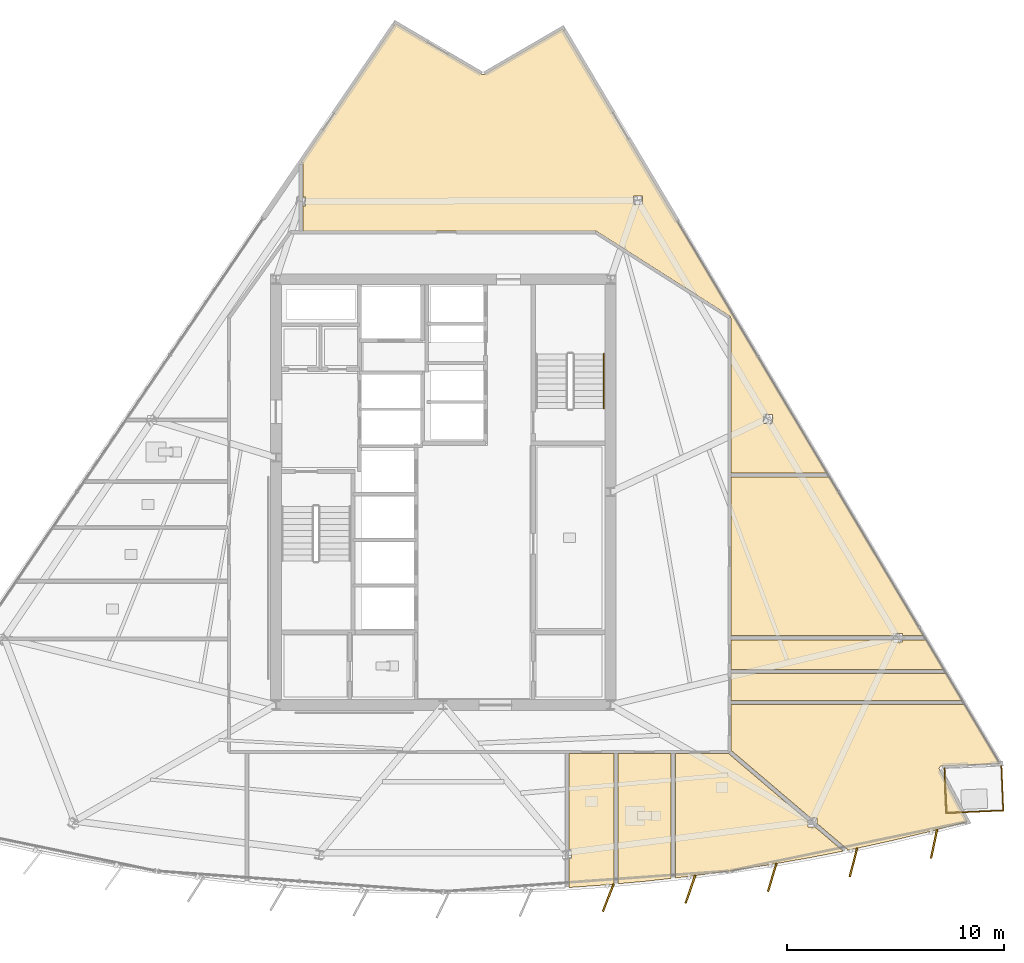
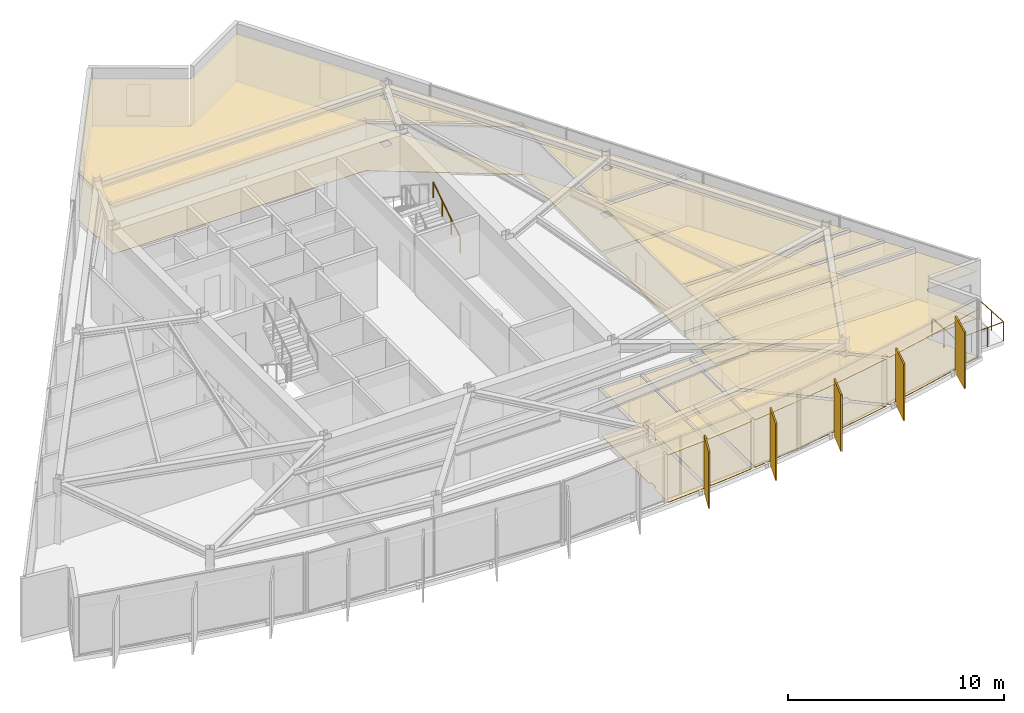
# One storey, part 14 of 15: 16 coverings, 5 shading devices, 4 railings.
"""IFC4 building model written with IfcOpenShell, lengths in metres."""

from ifc_helpers import new_model, si_unit, direction, frame, origin, origin_2d, place, context, subcontext, project, spatial, polyline, rectangle, circle, outline, extrude, material, layer, layer_set, type_object, element, save


model = new_model("IFC4")

# Units and contexts
model_context = context("Model", 3, precision=1e-05, world=origin(), true_north=direction((0.0, 1.0)))
body_context = subcontext(model_context, "Body", "Model", "MODEL_VIEW")
ifc_project = project(units=[si_unit("LENGTHUNIT", "METRE"), si_unit("AREAUNIT", "SQUARE_METRE"), si_unit("VOLUMEUNIT", "CUBIC_METRE"), si_unit("PLANEANGLEUNIT", "RADIAN"), si_unit("MASSUNIT", "GRAM", prefix="KILO")], contexts=[model_context])

# Site, building, storey
site_placement = place(None, origin())
site = spatial("IfcSite", under=ifc_project, at=site_placement, CompositionType="ELEMENT")
building_placement = place(site_placement, origin())
building = spatial("IfcBuilding", under=site, at=building_placement, Name="Savorim Split Tower", CompositionType="ELEMENT")
storey_placement = place(building_placement, frame((0.0, 0.0, 194.699951171875)))
storey = spatial("IfcBuildingStorey", under=building, at=storey_placement, Name="L51", CompositionType="ELEMENT", Elevation=194.699951171875)

# Coverings
ifc_material_1 = material(Name="Mineral Fibre Acoustic Ceiling")
ifc_layer_1 = layer(ifc_material_1, 0.02490234375)
ifc_layer_set_1 = layer_set([ifc_layer_1], Name="COV-CEIL-25")
covering_type_1 = type_object("IfcCoveringType", Name="COV-CEIL-25", PredefinedType="CEILING", material=ifc_layer_set_1)
covering_1_placement = place(storey_placement, frame((0.0, 0.0, 2.670166015625)))
element("IfcCovering", 1, at=covering_1_placement, inside=storey, type_object=covering_type_1, Name="L51 Shared Kitchen Acoustic Ceiling", PredefinedType="CEILING", context=body_context, shape_type="SweptSolid", body=[
    extrude(outline(polyline([(5.794189453125, -17.755859375), (5.794189453125, -17.79931640625), (7.55078125, -17.673095703125), (7.85595703125, -17.64501953125), (7.85595703125, -11.6201171875), (5.794189453125, -11.6201171875), (5.794189453125, -16.04833984375), (5.908203125, -16.04833984375), (5.908203125, -16.455322265625), (5.794189453125, -16.455322265625), (5.794189453125, -17.755859375)])), origin(), (0.0, 0.0, 1.0), 0.02490234375),
])
covering_2_placement = place(storey_placement, frame((0.0, 0.0, 2.670166015625)))
element("IfcCovering", 2, at=covering_2_placement, inside=storey, type_object=covering_type_1, Name="L51 Shared Bathroom Acoustic Ceiling", PredefinedType="CEILING", context=body_context, shape_type="SweptSolid", body=[
    extrude(outline(polyline([(8.0458984375, -11.6201171875), (8.0458984375, -17.62744140625), (9.4326171875, -17.49951171875), (10.49755859375, -17.379150390625), (10.49755859375, -11.6201171875), (8.0458984375, -11.6201171875)])), origin(), (0.0, 0.0, 1.0), 0.02490234375),
])
covering_3_placement = place(storey_placement, frame((0.0, 0.0, 2.670166015625)))
element("IfcCovering", 3, at=covering_3_placement, inside=storey, type_object=covering_type_1, Name="L51 Shared Kitchen Acoustic Ceiling", PredefinedType="CEILING", context=body_context, shape_type="SweptSolid", body=[
    extrude(outline(polyline([(11.310302734375, -17.287109375), (13.18359375, -17.03662109375), (15.051025390625, -16.74755859375), (16.912353515625, -16.420654296875), (18.4150390625, -16.124755859375), (17.097900390625, -15.003662109375), (16.79638671875, -15.003662109375), (16.79638671875, -14.7470703125), (13.146484375, -11.64111328125), (13.119873046875, -11.618408203125), (13.11376953125, -11.619384765625), (13.10009765625, -11.6201171875), (10.6875, -11.6201171875), (10.6875, -17.357666015625), (11.310302734375, -17.287109375)])), origin(), (0.0, 0.0, 1.0), 0.02490234375),
])
covering_4_placement = place(storey_placement, frame((0.0, 0.0, 2.670166015625)))
element("IfcCovering", 4, at=covering_4_placement, inside=storey, type_object=covering_type_1, Name="L51 Co-Working Commons Acoustic Ceiling", PredefinedType="CEILING", context=body_context, shape_type="SweptSolid", body=[
    extrude(outline(polyline([(22.926513671875, -12.2060546875), (22.93798828125, -12.203857421875), (22.949462890625, -12.202880859375), (25.611083984375, -12.089599609375), (24.001708984375, -9.3828125), (13.239990234375, -9.3828125), (13.239990234375, -11.47119140625), (16.91259765625, -14.5966796875), (17.21435546875, -14.5966796875), (17.21435546875, -14.853271484375), (18.547119140625, -15.987548828125), (18.619384765625, -16.049072265625), (18.583251953125, -16.091552734375), (18.7666015625, -16.055419921875), (20.61279296875, -15.652587890625), (22.450439453125, -15.2119140625), (24.132568359375, -14.772216796875), (22.848876953125, -12.37939453125), (22.84375, -12.368896484375), (22.83984375, -12.358154296875), (22.8369140625, -12.346923828125), (22.835205078125, -12.335693359375), (22.83447265625, -12.32421875), (22.8349609375, -12.3125), (22.83642578125, -12.301025390625), (22.839111328125, -12.289794921875), (22.8427734375, -12.27880859375), (22.847412109375, -12.268310546875), (22.853271484375, -12.25830078125), (22.85986328125, -12.248779296875), (22.867431640625, -12.240234375), (22.875732421875, -12.232177734375), (22.884765625, -12.22509765625), (22.89453125, -12.21875), (22.90478515625, -12.21337890625), (22.91552734375, -12.209228515625), (22.926513671875, -12.2060546875)])), origin(), (0.0, 0.0, 1.0), 0.02490234375),
])
covering_5_placement = place(storey_placement, frame((0.0, 0.0, 2.670166015625)))
element("IfcCovering", 5, at=covering_5_placement, inside=storey, type_object=covering_type_1, Name="L51 Co-Living Bedroom Acoustic Ceiling", PredefinedType="CEILING", context=body_context, shape_type="SweptSolid", body=[
    extrude(outline(polyline([(23.888916015625, -9.19287109375), (23.150390625, -7.951416015625), (13.239990234375, -7.951416015625), (13.239990234375, -9.19287109375), (23.888916015625, -9.19287109375)])), origin(), (0.0, 0.0, 1.0), 0.02490234375),
])
covering_6_placement = place(storey_placement, frame((0.0, 0.0, 2.670166015625)))
element("IfcCovering", 6, at=covering_6_placement, inside=storey, type_object=covering_type_1, Name="L51 Quiet Study Room Acoustic Ceiling", PredefinedType="CEILING", context=body_context, shape_type="SweptSolid", body=[
    extrude(outline(polyline([(20.727783203125, -6.506591796875), (20.727783203125, -6.398193359375), (13.239990234375, -6.398193359375), (13.239990234375, -7.76123046875), (23.03759765625, -7.76123046875), (22.207275390625, -6.364990234375), (22.207275390625, -6.398193359375), (21.145751953125, -6.398193359375), (21.145751953125, -6.506591796875), (20.727783203125, -6.506591796875)])), origin(), (0.0, 0.0, 1.0), 0.02490234375),
])
covering_7_placement = place(storey_placement, frame((0.0, 0.0, 2.670166015625)))
element("IfcCovering", 7, at=covering_7_placement, inside=storey, type_object=covering_type_1, Name="L51 Maker Workshop Acoustic Ceiling", PredefinedType="CEILING", context=body_context, shape_type="SweptSolid", body=[
    extrude(outline(polyline([(21.145751953125, -6.208251953125), (22.1123046875, -6.208251953125), (22.114013671875, -6.208251953125), (17.775146484375, 1.088623046875), (13.239990234375, 1.088623046875), (13.239990234375, -6.208251953125), (20.727783203125, -6.208251953125), (20.727783203125, -6.099609375), (21.145751953125, -6.099609375), (21.145751953125, -6.208251953125)])), origin(), (0.0, 0.0, 1.0), 0.02490234375),
])
covering_8_placement = place(storey_placement, frame((0.0, 0.0, 2.670166015625)))
element("IfcCovering", 8, at=covering_8_placement, inside=storey, type_object=covering_type_1, Name="L51 Co-Working Commons Acoustic Ceiling", PredefinedType="CEILING", context=body_context, shape_type="SweptSolid", body=[
    extrude(outline(polyline([(1.800537109375, 19.626708984375), (1.789794921875, 19.631103515625), (1.779541015625, 19.636474609375), (-2.197021484375, 21.9736328125), (-6.546142578125, 15.580078125), (-6.455322265625, 15.580078125), (-6.455322265625, 13.988525390625), (-6.34130859375, 13.988525390625), (-6.34130859375, 13.58154296875), (-6.455322265625, 13.58154296875), (-6.455322265625, 12.419921875), (7.0, 12.419921875), (7.01318359375, 12.41943359375), (7.0263671875, 12.41748046875), (7.0390625, 12.414306640625), (7.051513671875, 12.41015625), (7.063720703125, 12.40478515625), (7.0751953125, 12.398193359375), (13.175048828125, 8.51806640625), (13.1865234375, 8.510009765625), (13.197265625, 8.500732421875), (13.206787109375, 8.490478515625), (13.21533203125, 8.479248046875), (13.22265625, 8.46728515625), (13.22900390625, 8.45458984375), (13.233642578125, 8.44140625), (13.2373046875, 8.427978515625), (13.2392578125, 8.4140625), (13.239990234375, 8.39990234375), (13.239990234375, 1.27880859375), (17.662109375, 1.278564453125), (5.499267578125, 21.7333984375), (1.90087890625, 19.63623046875), (1.890625, 19.631103515625), (1.8798828125, 19.626708984375), (1.868896484375, 19.623291015625), (1.857421875, 19.62109375), (1.845947265625, 19.6201171875), (1.83447265625, 19.6201171875), (1.822998046875, 19.621337890625), (1.8115234375, 19.62353515625), (1.800537109375, 19.626708984375)]), holes=[polyline([(15.15869140625, 3.561767578125), (15.15869140625, 3.96875), (14.74072265625, 3.96875), (14.74072265625, 3.561767578125), (15.15869140625, 3.561767578125)]), polyline([(9.171875, 14.037353515625), (8.75390625, 14.037353515625), (8.75390625, 13.63037109375), (9.171875, 13.63037109375), (9.171875, 14.037353515625)])]), origin(), (0.0, 0.0, 1.0), 0.02490234375),
])
ifc_material_2 = material(Name="Porcelain Stoneware Flooring", Category="masonry")
ifc_layer_2 = layer(ifc_material_2, 0.02001953125)
ifc_layer_set_2 = layer_set([ifc_layer_2], Name="COV-FLOR-20")
covering_type_2 = type_object("IfcCoveringType", Name="COV-FLOR-20", PredefinedType="FLOORING", material=ifc_layer_set_2)
covering_9_placement = place(storey_placement, origin())
element("IfcCovering", 9, at=covering_9_placement, inside=storey, type_object=covering_type_2, Name="L51 Shared Kitchen Porcelain Flooring", PredefinedType="FLOORING", context=body_context, shape_type="SweptSolid", body=[
    extrude(outline(polyline([(5.794189453125, -17.755859375), (5.794189453125, -17.79931640625), (7.55078125, -17.673095703125), (7.85595703125, -17.64501953125), (7.85595703125, -11.6201171875), (5.794189453125, -11.6201171875), (5.794189453125, -16.04833984375), (5.908203125, -16.04833984375), (5.908203125, -16.455322265625), (5.794189453125, -16.455322265625), (5.794189453125, -17.755859375)])), origin(), (0.0, 0.0, 1.0), 0.02001953125),
])
covering_10_placement = place(storey_placement, origin())
element("IfcCovering", 10, at=covering_10_placement, inside=storey, type_object=covering_type_2, Name="L51 Shared Bathroom Porcelain Flooring", PredefinedType="FLOORING", context=body_context, shape_type="SweptSolid", body=[
    extrude(outline(polyline([(8.0458984375, -11.6201171875), (8.0458984375, -17.62744140625), (9.4326171875, -17.49951171875), (10.49755859375, -17.379150390625), (10.49755859375, -11.6201171875), (8.0458984375, -11.6201171875)])), origin(), (0.0, 0.0, 1.0), 0.02001953125),
])
covering_11_placement = place(storey_placement, origin())
element("IfcCovering", 11, at=covering_11_placement, inside=storey, type_object=covering_type_2, Name="L51 Shared Kitchen Porcelain Flooring", PredefinedType="FLOORING", context=body_context, shape_type="SweptSolid", body=[
    extrude(outline(polyline([(11.310302734375, -17.287109375), (13.18359375, -17.03662109375), (15.051025390625, -16.74755859375), (16.912353515625, -16.420654296875), (18.4150390625, -16.124755859375), (17.097900390625, -15.003662109375), (16.79638671875, -15.003662109375), (16.79638671875, -14.7470703125), (13.146484375, -11.64111328125), (13.119873046875, -11.618408203125), (13.11376953125, -11.619384765625), (13.10009765625, -11.6201171875), (10.6875, -11.6201171875), (10.6875, -17.357666015625), (11.310302734375, -17.287109375)])), origin(), (0.0, 0.0, 1.0), 0.02001953125),
])
covering_12_placement = place(storey_placement, origin())
element("IfcCovering", 12, at=covering_12_placement, inside=storey, type_object=covering_type_2, Name="L51 Co-Working Commons Porcelain Flooring", PredefinedType="FLOORING", context=body_context, shape_type="SweptSolid", body=[
    extrude(outline(polyline([(22.926513671875, -12.2060546875), (22.93798828125, -12.203857421875), (22.949462890625, -12.202880859375), (25.611083984375, -12.089599609375), (24.001708984375, -9.3828125), (13.239990234375, -9.3828125), (13.239990234375, -11.47119140625), (16.91259765625, -14.5966796875), (17.21435546875, -14.5966796875), (17.21435546875, -14.853271484375), (18.547119140625, -15.987548828125), (18.619384765625, -16.049072265625), (18.583251953125, -16.091552734375), (18.7666015625, -16.055419921875), (20.61279296875, -15.652587890625), (22.450439453125, -15.2119140625), (24.132568359375, -14.772216796875), (22.848876953125, -12.37939453125), (22.84375, -12.368896484375), (22.83984375, -12.358154296875), (22.8369140625, -12.346923828125), (22.835205078125, -12.335693359375), (22.83447265625, -12.32421875), (22.8349609375, -12.3125), (22.83642578125, -12.301025390625), (22.839111328125, -12.289794921875), (22.8427734375, -12.27880859375), (22.847412109375, -12.268310546875), (22.853271484375, -12.25830078125), (22.85986328125, -12.248779296875), (22.867431640625, -12.240234375), (22.875732421875, -12.232177734375), (22.884765625, -12.22509765625), (22.89453125, -12.21875), (22.90478515625, -12.21337890625), (22.91552734375, -12.209228515625), (22.926513671875, -12.2060546875)])), origin(), (0.0, 0.0, 1.0), 0.02001953125),
])
covering_13_placement = place(storey_placement, origin())
element("IfcCovering", 13, at=covering_13_placement, inside=storey, type_object=covering_type_2, Name="L51 Co-Living Bedroom Porcelain Flooring", PredefinedType="FLOORING", context=body_context, shape_type="SweptSolid", body=[
    extrude(outline(polyline([(23.888916015625, -9.19287109375), (23.150390625, -7.951416015625), (13.239990234375, -7.951416015625), (13.239990234375, -9.19287109375), (23.888916015625, -9.19287109375)])), origin(), (0.0, 0.0, 1.0), 0.02001953125),
])
covering_14_placement = place(storey_placement, origin())
element("IfcCovering", 14, at=covering_14_placement, inside=storey, type_object=covering_type_2, Name="L51 Quiet Study Room Porcelain Flooring", PredefinedType="FLOORING", context=body_context, shape_type="SweptSolid", body=[
    extrude(outline(polyline([(20.727783203125, -6.506591796875), (20.727783203125, -6.398193359375), (13.239990234375, -6.398193359375), (13.239990234375, -7.76123046875), (23.03759765625, -7.76123046875), (22.207275390625, -6.364990234375), (22.207275390625, -6.398193359375), (21.145751953125, -6.398193359375), (21.145751953125, -6.506591796875), (20.727783203125, -6.506591796875)])), origin(), (0.0, 0.0, 1.0), 0.02001953125),
])
covering_15_placement = place(storey_placement, origin())
element("IfcCovering", 15, at=covering_15_placement, inside=storey, type_object=covering_type_2, Name="L51 Maker Workshop Porcelain Flooring", PredefinedType="FLOORING", context=body_context, shape_type="SweptSolid", body=[
    extrude(outline(polyline([(21.145751953125, -6.208251953125), (22.1123046875, -6.208251953125), (22.114013671875, -6.208251953125), (17.775146484375, 1.088623046875), (13.239990234375, 1.088623046875), (13.239990234375, -6.208251953125), (20.727783203125, -6.208251953125), (20.727783203125, -6.099609375), (21.145751953125, -6.099609375), (21.145751953125, -6.208251953125)])), origin(), (0.0, 0.0, 1.0), 0.02001953125),
])
covering_16_placement = place(storey_placement, origin())
element("IfcCovering", 16, at=covering_16_placement, inside=storey, type_object=covering_type_2, Name="L51 Co-Working Commons Porcelain Flooring", PredefinedType="FLOORING", context=body_context, shape_type="SweptSolid", body=[
    extrude(outline(polyline([(1.800537109375, 19.626708984375), (1.789794921875, 19.631103515625), (1.779541015625, 19.636474609375), (-2.197021484375, 21.9736328125), (-6.546142578125, 15.580078125), (-6.455322265625, 15.580078125), (-6.455322265625, 13.988525390625), (-6.34130859375, 13.988525390625), (-6.34130859375, 13.58154296875), (-6.455322265625, 13.58154296875), (-6.455322265625, 12.419921875), (7.0, 12.419921875), (7.01318359375, 12.41943359375), (7.0263671875, 12.41748046875), (7.0390625, 12.414306640625), (7.051513671875, 12.41015625), (7.063720703125, 12.40478515625), (7.0751953125, 12.398193359375), (13.175048828125, 8.51806640625), (13.1865234375, 8.510009765625), (13.197265625, 8.500732421875), (13.206787109375, 8.490478515625), (13.21533203125, 8.479248046875), (13.22265625, 8.46728515625), (13.22900390625, 8.45458984375), (13.233642578125, 8.44140625), (13.2373046875, 8.427978515625), (13.2392578125, 8.4140625), (13.239990234375, 8.39990234375), (13.239990234375, 1.27880859375), (17.662109375, 1.278564453125), (5.499267578125, 21.7333984375), (1.90087890625, 19.63623046875), (1.890625, 19.631103515625), (1.8798828125, 19.626708984375), (1.868896484375, 19.623291015625), (1.857421875, 19.62109375), (1.845947265625, 19.6201171875), (1.83447265625, 19.6201171875), (1.822998046875, 19.621337890625), (1.8115234375, 19.62353515625), (1.800537109375, 19.626708984375)]), holes=[polyline([(15.15869140625, 3.561767578125), (15.15869140625, 3.96875), (14.74072265625, 3.96875), (14.74072265625, 3.561767578125), (15.15869140625, 3.561767578125)]), polyline([(9.171875, 14.037353515625), (8.75390625, 14.037353515625), (8.75390625, 13.63037109375), (9.171875, 13.63037109375), (9.171875, 14.037353515625)])]), origin(), (0.0, 0.0, 1.0), 0.02001953125),
])

# Railings
ifc_material_3 = material(Name="Galvanised Painted Steel Balustrade", Category="steel")
railing_type_1 = type_object("IfcRailingType", Name="RLG-BAL-1100", PredefinedType="BALUSTRADE", material=ifc_material_3)
railing_1_placement = place(storey_placement, frame((25.697021484375, -12.2060546875, 0.0)))
element("IfcRailing", 17, at=railing_1_placement, inside=storey, type_object=railing_type_1, Name="L51 Tree Balcony Guardrail SE-1", PredefinedType="BALUSTRADE", context=body_context, shape_type="SweptSolid", body=[
    extrude(circle(Radius=0.02392578125, at=origin_2d()), frame((0.0, 0.0, 1.076171875), z_axis=(0.042517246, -0.999095733047, 0.0), x_axis=(0.999095733047, 0.042517246, 0.0)), (0.0, 0.0, 1.0), 2.050048828125),
    extrude(circle(Radius=0.02099609375, at=origin_2d()), origin(), (0.0, 0.0, 1.0), 1.052001953125),
    extrude(circle(Radius=0.02099609375, at=origin_2d()), frame((0.04345703125, -1.02392578125, 0.0)), (0.0, 0.0, 1.0), 1.052001953125),
    extrude(circle(Radius=0.02099609375, at=origin_2d()), frame((0.087158203125, -2.048095703125, 0.0)), (0.0, 0.0, 1.0), 1.052001953125),
])
railing_2_placement = place(storey_placement, frame((25.7841796875, -14.254150390625, 0.0)))
element("IfcRailing", 18, at=railing_2_placement, inside=storey, type_object=railing_type_1, Name="L51 Tree Balcony Guardrail SE-2", PredefinedType="BALUSTRADE", context=body_context, shape_type="SweptSolid", body=[
    extrude(circle(Radius=0.02392578125, at=origin_2d()), frame((0.0, 0.0, 1.076171875), z_axis=(-0.999096260916, -0.042504839996, 0.0), x_axis=(0.042504839996, -0.999096260916, 0.0)), (0.0, 0.0, 1.0), 2.625),
    extrude(circle(Radius=0.02099609375, at=origin_2d()), origin(), (0.0, 0.0, 1.0), 1.052001953125),
    extrude(circle(Radius=0.02099609375, at=origin_2d()), frame((-0.874267578125, -0.037109375, 0.0)), (0.0, 0.0, 1.0), 1.052001953125),
    extrude(circle(Radius=0.02099609375, at=origin_2d()), frame((-1.748291015625, -0.074462890625, 0.0)), (0.0, 0.0, 1.0), 1.052001953125),
    extrude(circle(Radius=0.02099609375, at=origin_2d()), frame((-2.62255859375, -0.111572265625, 0.0)), (0.0, 0.0, 1.0), 1.052001953125),
])
railing_3_placement = place(storey_placement, frame((23.16162109375, -14.36572265625, 0.0)))
element("IfcRailing", 19, at=railing_3_placement, inside=storey, type_object=railing_type_1, Name="L51 Tree Balcony Guardrail SE-3", PredefinedType="BALUSTRADE", context=body_context, shape_type="SweptSolid", body=[
    extrude(circle(Radius=0.02392578125, at=origin_2d()), frame((0.0, 0.0, 1.076171875), z_axis=(-0.042517246, 0.999095733047, 0.0), x_axis=(-0.999095733047, -0.042517246, 0.0)), (0.0, 0.0, 1.0), 2.050048828125),
    extrude(circle(Radius=0.02099609375, at=origin_2d()), origin(), (0.0, 0.0, 1.0), 1.052001953125),
    extrude(circle(Radius=0.02099609375, at=origin_2d()), frame((-0.04345703125, 1.02392578125, 0.0)), (0.0, 0.0, 1.0), 1.052001953125),
    extrude(circle(Radius=0.02099609375, at=origin_2d()), frame((-0.087158203125, 2.048095703125, 0.0)), (0.0, 0.0, 1.0), 1.052001953125),
])
railing_type_2 = type_object("IfcRailingType", Name="RLG-HR-900", PredefinedType="HANDRAIL", material=ifc_material_3)
railing_4_placement = place(storey_placement, frame((7.39990234375, 4.25, 0.179931640625)))
element("IfcRailing", 20, at=railing_4_placement, inside=storey, type_object=railing_type_2, Name="L51 ST-2 stair handrail 1", PredefinedType="HANDRAIL", context=body_context, shape_type="SweptSolid", body=[
    extrude(circle(Radius=0.02392578125, at=origin_2d()), frame((0.0, 0.0, 0.8759765625), z_axis=(0.0, 0.841162588446, 0.540782303519), x_axis=(-1.0, 0.0, 0.0)), (0.0, 0.0, 1.0), 2.995849609375),
    extrude(circle(Radius=0.02099609375, at=origin_2d()), origin(), (0.0, 0.0, 1.0), 0.851806640625),
    extrude(circle(Radius=0.02099609375, at=origin_2d()), frame((0.0, 0.840087890625, 0.5400390625)), (0.0, 0.0, 1.0), 0.851806640625),
    extrude(circle(Radius=0.02099609375, at=origin_2d()), frame((0.0, 1.679931640625, 1.080078125)), (0.0, 0.0, 1.0), 0.851806640625),
    extrude(circle(Radius=0.02099609375, at=origin_2d()), frame((0.0, 2.52001953125, 1.6201171875)), (0.0, 0.0, 1.0), 0.851806640625),
])

# Shading devices
ifc_material_4 = material(Name="Terracotta Ceramic-Coated Aluminium Fin", Category="masonry")
shading_device_type = type_object("IfcShadingDeviceType", Name="SHD-FIN-1360", PredefinedType="USERDEFINED", material=ifc_material_4)
for number, where, z_axis, x_axis, name in (
    (21, (7.599609375, -18.26708984375, -0.19970703125), (0.0, 0.0, 1.0), (-0.363415461732, -0.931627179817, 0.0), "L51 Sawtooth Shading Fin 09"),
    (22, (11.38330078125, -17.878662109375, -0.19970703125), (0.0, 0.0, 1.0), (-0.324993810493, -0.945716143005, 0.0), "L51 Sawtooth Shading Fin 10"),
    (23, (15.148193359375, -17.335693359375, -0.19970703125), (0.0, 0.0, 1.0), (-0.286026212504, -0.958221793616, 0.0), "L51 Sawtooth Shading Fin 11"),
    (24, (18.8876953125, -16.63916015625, -0.19970703125), (0.0, 0.0, 1.0), (-0.246581250663, -0.969122121727, 0.0), "L51 Sawtooth Shading Fin 12"),
    (25, (22.595458984375, -15.7900390625, -0.19970703125), (0.0, 0.0, 1.0), (-0.206721626106, -0.978399800337, 0.0), "L51 Sawtooth Shading Fin 13"),
):
    element("IfcShadingDevice", number, at=place(storey_placement, frame(where, z_axis=z_axis, x_axis=x_axis)), inside=storey, type_object=shading_device_type, Name=name, ObjectType="FIN", PredefinedType="USERDEFINED", context=body_context, shape_type="SweptSolid", body=[
        extrude(rectangle(XDim=1.360107421875, YDim=0.080078125, at=origin_2d()), origin(), (0.0, 0.0, 1.0), 3.199951171875),
    ])

save(model, "model.ifc")
